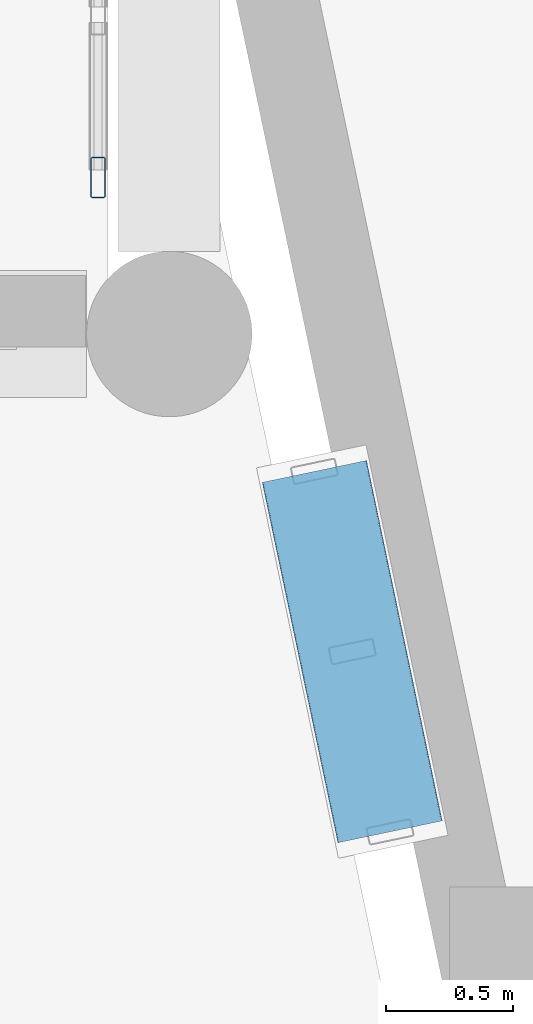
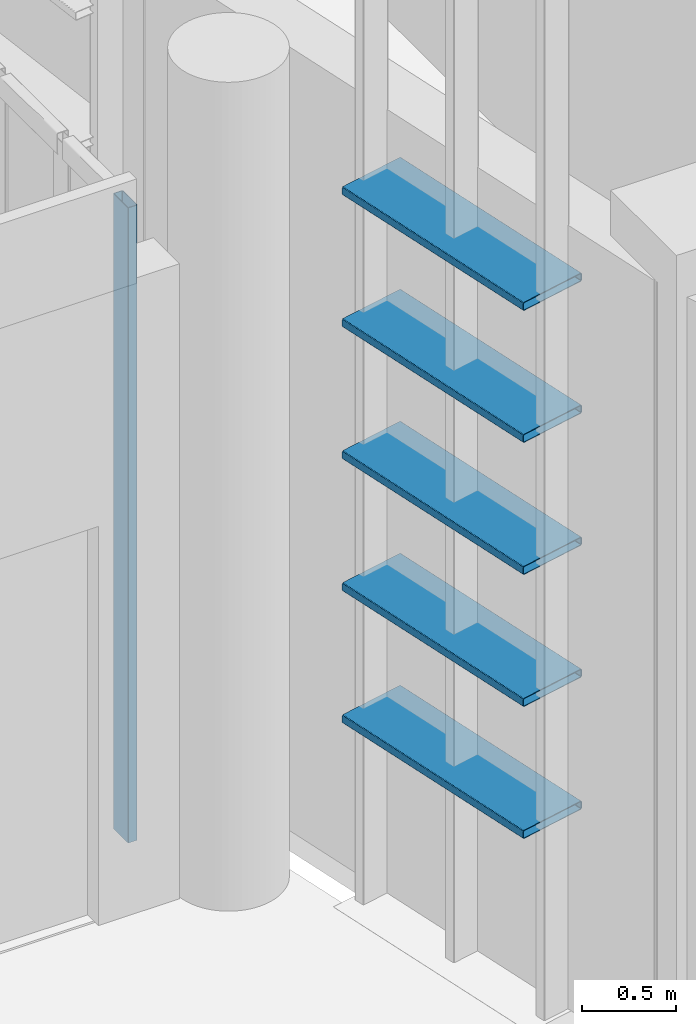
# One storey, part 222 of 372: 6 members, 1 element without a shape of its own.
"""IFC4 building model written with IfcOpenShell, lengths in metres."""

from ifc_helpers import new_model, si_unit, direction, frame, origin, origin_2d, place, context, subcontext, project, spatial, hollow_rectangle, extrude, material, material_profile, profile_set, type_object, element, aggregate, save


model = new_model("IFC4")

# Units and contexts
model_context = context("Model", 3, precision=1e-05, world=origin(), true_north=direction((0.0, 1.0)))
body_context = subcontext(model_context, "Body", "Model", "MODEL_VIEW")
ifc_project = project(units=[si_unit("LENGTHUNIT", "METRE"), si_unit("AREAUNIT", "SQUARE_METRE"), si_unit("VOLUMEUNIT", "CUBIC_METRE"), si_unit("PLANEANGLEUNIT", "RADIAN"), si_unit("MASSUNIT", "GRAM", prefix="KILO")], contexts=[model_context])

# Site, building, storey
site_placement = place(None, origin())
site = spatial("IfcSite", under=ifc_project, at=site_placement, CompositionType="ELEMENT")
building_placement = place(site_placement, origin())
building = spatial("IfcBuilding", under=site, at=building_placement, Name="Kaelora Sail Theatre", CompositionType="ELEMENT")
storey_placement = place(building_placement, origin())
storey = spatial("IfcBuildingStorey", under=building, at=storey_placement, Name="L00", CompositionType="ELEMENT", Elevation=0.0)

# Members
ifc_material_1 = material(Name="Anodised aluminium 6063-T6", Category="aluminium")
ifc_material_profile_1 = material_profile(ifc_material_1, hollow_rectangle(XDim=0.419921875, YDim=0.054931640625, WallThickness=0.00390625, InnerFilletRadius=0.00390625, OuterFilletRadius=0.008056640625, at=origin_2d()), Name="LOUVRE 420x55x4")
ifc_profile_set_1 = profile_set([ifc_material_profile_1], Name="Anodised aluminium 6063-T6")
member_type_1 = type_object("IfcMemberType", Name="ARC-MEM-LVR-420", PredefinedType="USERDEFINED", material=ifc_profile_set_1)
for number, where, z_axis, x_axis, name in (
    (1, (123.8671875, 36.744384765625, 1.25), (-0.205483302398, 0.978660621684, 0.0), (-0.978660621684, -0.205483302398, 0.0), "Black-Box and Experimental Sail Wing horizontal solar louvre C17-01"),
    (2, (123.8671875, 36.744384765625, 2.110107421875), (-0.205483302398, 0.978660621684, 0.0), (-0.978660621684, -0.205483302398, 0.0), "Black-Box and Experimental Sail Wing horizontal solar louvre C17-02"),
    (3, (123.8671875, 36.744384765625, 2.969970703125), (-0.205483302398, 0.978660621684, 0.0), (-0.978660621684, -0.205483302398, 0.0), "Black-Box and Experimental Sail Wing horizontal solar louvre C17-03"),
    (4, (123.8671875, 36.744384765625, 3.830078125), (-0.205483302398, 0.978660621684, 0.0), (-0.978660621684, -0.205483302398, 0.0), "Black-Box and Experimental Sail Wing horizontal solar louvre C17-04"),
    (5, (123.8671875, 36.744384765625, 4.68994140625), (-0.205483302398, 0.978660621684, 0.0), (-0.978660621684, -0.205483302398, 0.0), "Black-Box and Experimental Sail Wing horizontal solar louvre C17-05"),
):
    element("IfcMember", number, at=place(storey_placement, frame(where, z_axis=z_axis, x_axis=x_axis)), inside=storey, type_object=member_type_1, Name=name, ObjectType="LOUVRE", PredefinedType="USERDEFINED", context=body_context, shape_type="SweptSolid", body=[
        extrude(hollow_rectangle(XDim=0.419921875, YDim=0.054931640625, WallThickness=0.00390625, InnerFilletRadius=0.00390625, OuterFilletRadius=0.008056640625, at=origin_2d()), origin(), (0.0, 0.0, 1.0), 1.447021484375),
    ])

# Curtain wall, member
ifc_material_2 = material(Name="Anodised aluminium and solar-control low-E IGU", Category="aluminium")
curtain_wall_type = type_object("IfcCurtainWallType", Name="ARC-CW-CW-FOY2", PredefinedType="NOTDEFINED", material=ifc_material_2)
curtain_wall_placement = place(storey_placement, origin())
curtain_wall = element("IfcCurtainWall", 6, at=curtain_wall_placement, inside=storey, type_object=curtain_wall_type, Name="East Interstitial Foyer East Glazed Return L00-01", PredefinedType="NOTDEFINED")
ifc_material_3 = material(Name="Anodised aluminium 6063-T6", Category="aluminium")
ifc_material_profile_2 = material_profile(ifc_material_3, hollow_rectangle(XDim=0.06005859375, YDim=0.159912109375, WallThickness=0.00390625, InnerFilletRadius=0.00390625, OuterFilletRadius=0.008056640625, at=origin_2d()), Name="ALU-MULL 60x160x4")
ifc_profile_set_2 = profile_set([ifc_material_profile_2], Name="Anodised aluminium 6063-T6")
member_type_2 = type_object("IfcMemberType", Name="ARC-MEM-ML-160", PredefinedType="MULLION", material=ifc_profile_set_2)
member_placement = place(storey_placement, frame((122.719970703125, 39.31494140625, 0.0), z_axis=(0.0, 0.0, 1.0), x_axis=(-1.0, 0.0, 0.0)))
member = element("IfcMember", 7, at=member_placement, type_object=member_type_2, Name="CW-FOY2 mullion 1", PredefinedType="MULLION", context=body_context, shape_type="SweptSolid", body=[
    extrude(hollow_rectangle(XDim=0.06005859375, YDim=0.159912109375, WallThickness=0.00390625, InnerFilletRadius=0.00390625, OuterFilletRadius=0.008056640625, at=origin_2d()), origin(), (0.0, 0.0, 1.0), 4.136962890625),
])
aggregate(curtain_wall, [member])

save(model, "model.ifc")
